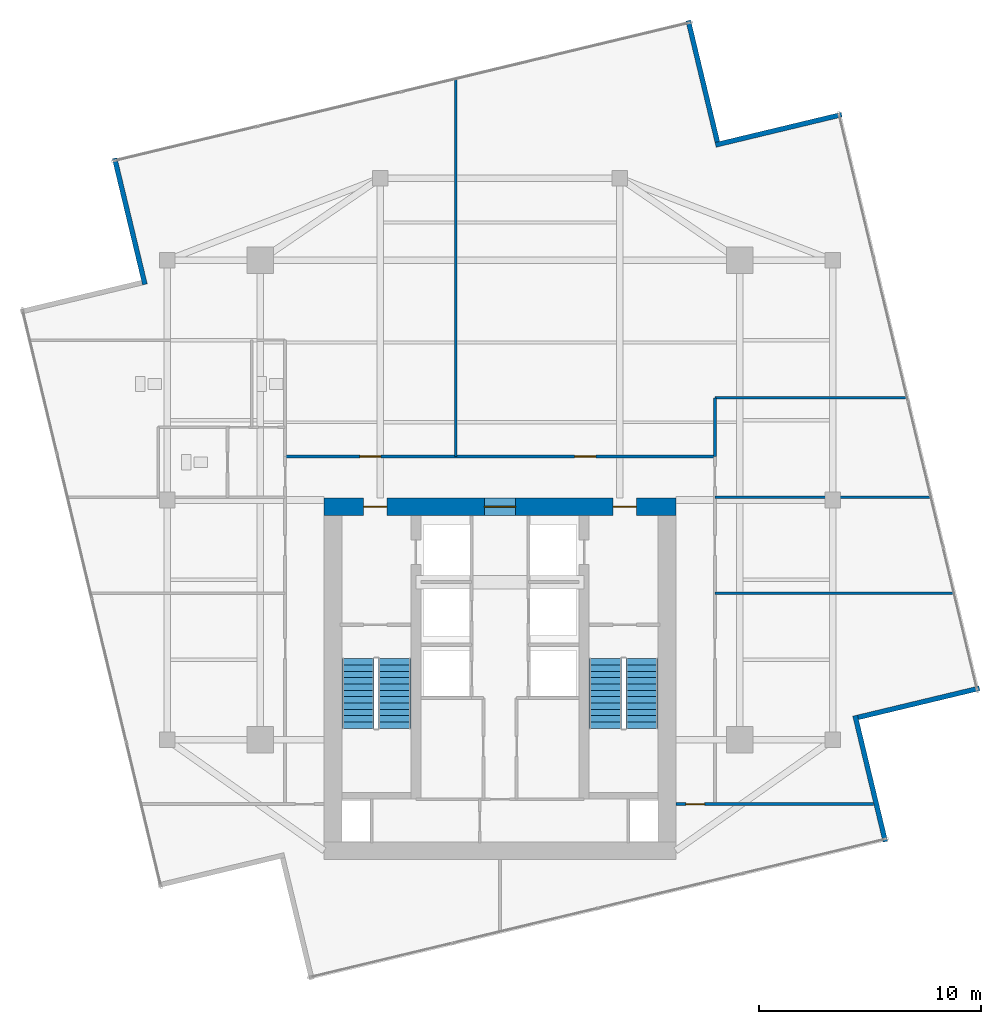
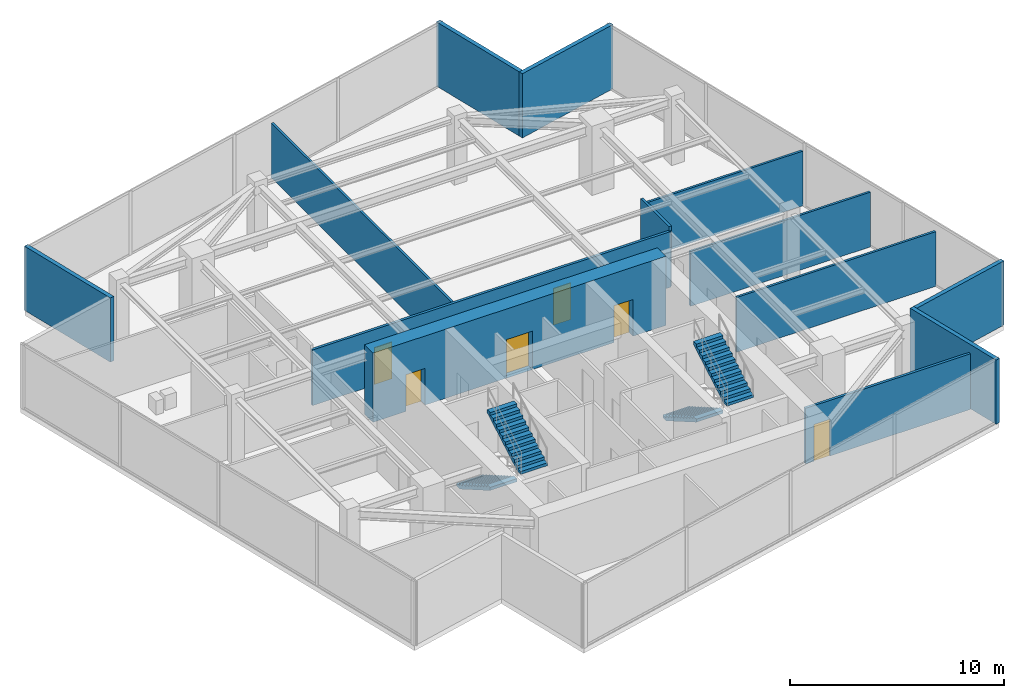
# One storey, part 20 of 22: 13 walls, 6 doors, 4 stair flights, 6 openings, 2 elements without a shape of their own.
"""IFC4 building model written with IfcOpenShell, lengths in metres."""

from ifc_helpers import new_model, si_unit, direction, frame, frame_2d, origin, place, context, subcontext, project, spatial, polyline, rectangle, outline, extrude, material, layer, layer_set, type_object, element, fill, aggregate, save


model = new_model("IFC4")

# Units and contexts
model_context = context("Model", 3, precision=1e-05, world=origin(), true_north=direction((0.0, 1.0)))
body_context = subcontext(model_context, "Body", "Model", "MODEL_VIEW")
ifc_project = project(units=[si_unit("LENGTHUNIT", "METRE"), si_unit("AREAUNIT", "SQUARE_METRE"), si_unit("VOLUMEUNIT", "CUBIC_METRE"), si_unit("PLANEANGLEUNIT", "RADIAN"), si_unit("MASSUNIT", "GRAM", prefix="KILO")], contexts=[model_context])

# Site, building, storey
site_placement = place(None, origin())
site = spatial("IfcSite", under=ifc_project, at=site_placement, CompositionType="ELEMENT")
building_placement = place(site_placement, origin())
building = spatial("IfcBuilding", under=site, at=building_placement, Name="Krantzveldt Concourse Tower", CompositionType="ELEMENT")
storey_placement = place(building_placement, frame((0.0, 0.0, 355.35009765625)))
storey = spatial("IfcBuildingStorey", under=building, at=storey_placement, Name="L87", CompositionType="ELEMENT", Elevation=355.35009765625)

# Walls
ifc_material_1 = material(Name="Anodised aluminium 6063-T6", Category="aluminium")
ifc_layer_1 = layer(ifc_material_1, 0.219970703125, Name="Anodised aluminium 6063-T6", Category="aluminium")
ifc_layer_set_1 = layer_set([ifc_layer_1], Name="Anodised aluminium 6063-T6 (WL-EXT-NOTCH220)")
wall_type_1 = type_object("IfcWallType", Name="WL-EXT-NOTCH220", PredefinedType="ELEMENTEDWALL", material=ifc_layer_set_1)
wall_1_placement = place(storey_placement, frame((45.794677734375, 42.832275390625, 0.0), z_axis=(0.0, 0.0, 1.0), x_axis=(-0.233466521361, 0.972364840687, 0.0)))
element("IfcWall", 1, at=wall_1_placement, inside=storey, type_object=wall_type_1, Name="EW-L87-NCH00", PredefinedType="ELEMENTEDWALL", context=body_context, shape_type="SweptSolid", body=[
    extrude(rectangle(XDim=5.625, YDim=0.219970703125, at=frame_2d((2.8125, 0.0))), origin(), (0.0, 0.0, 1.0), 3.669921875),
])
for number, where, z_axis, x_axis, name in (
    (2, (18.635986328125, 42.096923828125, 0.0), (0.0, 0.0, 1.0), (0.233444040416, -0.972370238126, 0.0), "EW-L87-NCH02"),
    (3, (53.364013671875, 11.30322265625, 0.0), (0.0, 0.0, 1.0), (-0.233453521986, 0.972367961768, 0.0), "EW-L87-NCH08"),
):
    element("IfcWall", number, at=place(storey_placement, frame(where, z_axis=z_axis, x_axis=x_axis)), inside=storey, type_object=wall_type_1, Name=name, PredefinedType="ELEMENTEDWALL", context=body_context, shape_type="SweptSolid", body=[
        extrude(rectangle(XDim=5.844970703125, YDim=0.219970703125, at=frame_2d((2.92236328125, 0.0))), origin(), (0.0, 0.0, 1.0), 3.669921875),
    ])
wall_2_placement = place(storey_placement, frame((52.13232421875, 16.9052734375, 0.0), z_axis=(0.0, 0.0, 1.0), x_axis=(0.972364840687, 0.233466521361, 0.0)))
element("IfcWall", 4, at=wall_2_placement, inside=storey, type_object=wall_type_1, Name="EW-L87-NCH09", PredefinedType="ELEMENTEDWALL", context=body_context, shape_type="SweptSolid", body=[
    extrude(rectangle(XDim=5.625, YDim=0.219970703125, at=frame_2d((2.8125, 0.0))), origin(), (0.0, 0.0, 1.0), 3.669921875),
])
wall_3_placement = place(storey_placement, frame((51.396728515625, 44.064208984375, 0.0), z_axis=(0.0, 0.0, 1.0), x_axis=(-0.972367961768, -0.233453521986, 0.0)))
element("IfcWall", 5, at=wall_3_placement, inside=storey, type_object=wall_type_1, Name="EW-L87-NCH11", PredefinedType="ELEMENTEDWALL", context=body_context, shape_type="SweptSolid", body=[
    extrude(rectangle(XDim=5.844970703125, YDim=0.219970703125, at=frame_2d((2.92236328125, 0.0))), origin(), (0.0, 0.0, 1.0), 3.669921875),
])
ifc_material_2 = material(Name="Fire-rated gypsum plasterboard on steel stud", Category="steel")
ifc_layer_2 = layer(ifc_material_2, 0.1201171875, Name="Fire-rated gypsum plasterboard on steel stud", Category="steel")
ifc_layer_set_2 = layer_set([ifc_layer_2], Name="Fire-rated gypsum plasterboard on steel stud (WL-PART-120)")
wall_type_2 = type_object("IfcWallType", Name="WL-PART-120", PredefinedType="PARTITIONING", material=ifc_layer_set_2)
wall_4_placement = place(storey_placement, frame((45.679931640625, 26.820068359375, 0.0), z_axis=(0.0, 0.0, 1.0), x_axis=(1.0, 0.0, 0.0)))
element("IfcWall", 6, at=wall_4_placement, inside=storey, type_object=wall_type_2, Name="WP-L87-PNTS", PredefinedType="PARTITIONING", context=body_context, shape_type="SweptSolid", body=[
    extrude(rectangle(XDim=9.738525390625, YDim=0.1201171875, at=frame_2d((4.869140625, 0.0))), origin(), (0.0, 0.0, 1.0), 3.1298828125),
])
wall_5_placement = place(storey_placement, frame((45.679931640625, 31.300048828125, 0.0), z_axis=(0.0, 0.0, 1.0), x_axis=(1.0, 0.0, 0.0)))
element("IfcWall", 7, at=wall_5_placement, inside=storey, type_object=wall_type_2, Name="WP-L87-PNTN", PredefinedType="PARTITIONING", context=body_context, shape_type="SweptSolid", body=[
    extrude(rectangle(XDim=8.6630859375, YDim=0.1201171875, at=frame_2d((4.33154296875, 0.0))), origin(), (0.0, 0.0, 1.0), 3.1298828125),
])
wall_6_placement = place(storey_placement, frame((34.0, 28.659912109375, 0.0), z_axis=(0.0, 0.0, 1.0), x_axis=(0.0, 1.0, 0.0)))
element("IfcWall", 8, at=wall_6_placement, inside=storey, type_object=wall_type_2, Name="WP-L87-ND1", PredefinedType="PARTITIONING", context=body_context, shape_type="SweptSolid", body=[
    extrude(rectangle(XDim=17.00732421875, YDim=0.1201171875, at=frame_2d((8.503662109375, 0.0))), origin(), (0.0, 0.0, 1.0), 3.1298828125),
])
wall_7_placement = place(storey_placement, frame((45.679931640625, 22.5, 0.0), z_axis=(0.0, 0.0, 1.0), x_axis=(1.0, 0.0, 0.0)))
element("IfcWall", 9, at=wall_7_placement, inside=storey, type_object=wall_type_2, Name="WP-L87-ED1", PredefinedType="PARTITIONING", context=body_context, shape_type="SweptSolid", body=[
    extrude(rectangle(XDim=10.77587890625, YDim=0.1201171875, at=frame_2d((5.387939453125, 0.0))), origin(), (0.0, 0.0, 1.0), 3.1298828125),
])

# Wall, openings, doors
ifc_layer_3 = layer(ifc_material_2, 0.139892578125, Name="Fire-rated gypsum plasterboard on steel stud", Category="steel")
ifc_layer_set_3 = layer_set([ifc_layer_3], Name="Fire-rated gypsum plasterboard on steel stud (WL-PART-140)")
wall_type_3 = type_object("IfcWallType", Name="WL-PART-140", PredefinedType="PARTITIONING", material=ifc_layer_set_3)
wall_8_placement = place(storey_placement, frame((26.320068359375, 28.659912109375, 0.0), z_axis=(0.0, 0.0, 1.0), x_axis=(1.0, 0.0, 0.0)))
wall_8 = element("IfcWall", 10, at=wall_8_placement, inside=storey, type_object=wall_type_3, Name="WP-L87-CNHDR", PredefinedType="PARTITIONING", context=body_context, shape_type="SweptSolid", body=[
    extrude(rectangle(XDim=19.35986328125, YDim=0.139892578125, at=frame_2d((9.679931640625, 0.0))), origin(), (0.0, 0.0, 1.0), 3.179931640625),
])
opening_1_placement = place(wall_8_placement, frame((3.364990234375, 0.0, 0.0)))
opening_1 = element("IfcOpeningElement", 11, at=opening_1_placement, cuts=wall_8, Name="Opening D-IN095", PredefinedType="OPENING", context=body_context, shape_type="SweptSolid", body=[
    extrude(rectangle(XDim=0.949951171875, YDim=2.10009765625, at=frame_2d((0.47509765625, 1.050048828125))), frame((0.0, 0.080078125, 0.0), z_axis=(0.0, -1.0, 0.0), x_axis=(1.0, 0.0, 0.0)), (0.0, 0.0, 1.0), 0.159912109375),
])
opening_2_placement = place(wall_8_placement, frame((13.044921875, 0.0, 0.0)))
opening_2 = element("IfcOpeningElement", 12, at=opening_2_placement, cuts=wall_8, Name="Opening D-IN095", PredefinedType="OPENING", context=body_context, shape_type="SweptSolid", body=[
    extrude(rectangle(XDim=0.949951171875, YDim=2.10009765625, at=frame_2d((0.47509765625, 1.050048828125))), frame((0.0, 0.080078125, 0.0), z_axis=(0.0, -1.0, 0.0), x_axis=(1.0, 0.0, 0.0)), (0.0, 0.0, 1.0), 0.159912109375),
])
ifc_material_3 = material(Name="Hardwood timber", Category="wood")
door_type_1 = type_object("IfcDoorType", Name="DR-INT-950", OperationType="SINGLE_SWING_LEFT", PredefinedType="DOOR", material=ifc_material_3)
door_1_placement = place(opening_1_placement, origin())
door_1 = element("IfcDoor", 13, at=door_1_placement, inside=storey, type_object=door_type_1, Name="DR-L87-NR1", OperationType="SINGLE_SWING_LEFT", OverallHeight=2.10009765625, OverallWidth=0.949951171875, PredefinedType="DOOR", context=body_context, shape_type="SweptSolid", body=[
    extrude(rectangle(XDim=0.949951171875, YDim=2.10009765625, at=frame_2d((0.47509765625, 1.050048828125))), frame((0.0, 0.02490234375, 0.0), z_axis=(0.0, -1.0, 0.0), x_axis=(1.0, 0.0, 0.0)), (0.0, 0.0, 1.0), 0.050048828125),
])
fill(opening_1, door_1)
door_2_placement = place(opening_2_placement, origin())
door_2 = element("IfcDoor", 14, at=door_2_placement, inside=storey, type_object=door_type_1, Name="DR-L87-NR2", OperationType="SINGLE_SWING_LEFT", OverallHeight=2.10009765625, OverallWidth=0.949951171875, PredefinedType="DOOR", context=body_context, shape_type="SweptSolid", body=[
    extrude(rectangle(XDim=0.949951171875, YDim=2.10009765625, at=frame_2d((0.47509765625, 1.050048828125))), frame((0.0, 0.02490234375, 0.0), z_axis=(0.0, -1.0, 0.0), x_axis=(1.0, 0.0, 0.0)), (0.0, 0.0, 1.0), 0.050048828125),
])
fill(opening_2, door_2)

# Wall, opening, door
wall_9_placement = place(storey_placement, frame((43.919921875, 13.0, 0.0), z_axis=(0.0, 0.0, 1.0), x_axis=(1.0, 0.0, 0.0)))
wall_9 = element("IfcWall", 15, at=wall_9_placement, inside=storey, type_object=wall_type_3, Name="WP-L87-CSBOTE", PredefinedType="PARTITIONING", context=body_context, shape_type="SweptSolid", body=[
    extrude(rectangle(XDim=8.91845703125, YDim=0.139892578125, at=frame_2d((4.459228515625, 0.0))), origin(), (0.0, 0.0, 1.0), 3.179931640625),
])
opening_3_placement = place(wall_9_placement, frame((0.455078125, 0.0, 0.0)))
opening_3 = element("IfcOpeningElement", 16, at=opening_3_placement, cuts=wall_9, Name="Opening D-IN085", PredefinedType="OPENING", context=body_context, shape_type="SweptSolid", body=[
    extrude(rectangle(XDim=0.85009765625, YDim=2.10009765625, at=frame_2d((0.425048828125, 1.050048828125))), frame((0.0, 0.080078125, 0.0), z_axis=(0.0, -1.0, 0.0), x_axis=(1.0, 0.0, 0.0)), (0.0, 0.0, 1.0), 0.159912109375),
])
door_type_2 = type_object("IfcDoorType", Name="DR-INT-850", OperationType="SINGLE_SWING_LEFT", PredefinedType="DOOR", material=ifc_material_3)
door_3_placement = place(opening_3_placement, origin())
door_3 = element("IfcDoor", 17, at=door_3_placement, inside=storey, type_object=door_type_2, Name="DR-L87-SR2", OperationType="SINGLE_SWING_LEFT", OverallHeight=2.10009765625, OverallWidth=0.85009765625, PredefinedType="DOOR", context=body_context, shape_type="SweptSolid", body=[
    extrude(rectangle(XDim=0.85009765625, YDim=2.10009765625, at=frame_2d((0.425048828125, 1.050048828125))), frame((0.0, 0.02490234375, 0.0), z_axis=(0.0, -1.0, 0.0), x_axis=(1.0, 0.0, 0.0)), (0.0, 0.0, 1.0), 0.050048828125),
])
fill(opening_3, door_3)

# Wall
wall_10_placement = place(storey_placement, frame((45.679931640625, 28.659912109375, 0.0), z_axis=(0.0, 0.0, 1.0), x_axis=(0.0, 1.0, 0.0)))
element("IfcWall", 18, at=wall_10_placement, inside=storey, type_object=wall_type_3, Name="WP-L87-NER", PredefinedType="PARTITIONING", context=body_context, shape_type="SweptSolid", body=[
    extrude(rectangle(XDim=2.64013671875, YDim=0.139892578125, at=frame_2d((1.320068359375, 0.0))), origin(), (0.0, 0.0, 1.0), 3.429931640625),
])

# Wall, openings, doors
ifc_material_4 = material(Name="Concrete C60/75", Category="concrete")
ifc_layer_4 = layer(ifc_material_4, 0.800048828125, Name="Concrete C60/75", Category="concrete")
ifc_layer_set_4 = layer_set([ifc_layer_4], Name="Concrete C60/75 (WL-SHEAR-800)")
wall_type_4 = type_object("IfcWallType", Name="WL-SHEAR-800", PredefinedType="SHEAR", material=ifc_layer_set_4)
wall_11_placement = place(storey_placement, frame((28.080078125, 26.39990234375, 0.0), z_axis=(0.0, 0.0, 1.0), x_axis=(1.0, 0.0, 0.0)))
wall_11 = element("IfcWall", 19, at=wall_11_placement, inside=storey, type_object=wall_type_4, Name="CW-L87-N", PredefinedType="SHEAR", context=body_context, shape_type="SweptSolid", body=[
    extrude(rectangle(XDim=15.83984375, YDim=0.800048828125, at=frame_2d((7.919921875, 0.0))), origin(), (0.0, 0.0, 1.0), 3.949951171875),
])
opening_4_placement = place(wall_11_placement, frame((7.219970703125, 0.0, 0.0)))
opening_4 = element("IfcOpeningElement", 20, at=opening_4_placement, cuts=wall_11, Name="Opening D-DB140", PredefinedType="OPENING", context=body_context, shape_type="SweptSolid", body=[
    extrude(rectangle(XDim=1.39990234375, YDim=2.199951171875, at=frame_2d((0.699951171875, 1.10009765625))), frame((0.0, 0.41015625, 0.0), z_axis=(0.0, -1.0, 0.0), x_axis=(1.0, 0.0, 0.0)), (0.0, 0.0, 1.0), 0.820068359375),
])
opening_5_placement = place(wall_11_placement, frame((1.77490234375, 0.0, 0.0)))
opening_5 = element("IfcOpeningElement", 21, at=opening_5_placement, cuts=wall_11, Name="Opening D-FD105", PredefinedType="OPENING", context=body_context, shape_type="SweptSolid", body=[
    extrude(rectangle(XDim=1.050048828125, YDim=2.10009765625, at=frame_2d((0.52490234375, 1.050048828125))), frame((0.0, 0.41015625, 0.0), z_axis=(0.0, -1.0, 0.0), x_axis=(1.0, 0.0, 0.0)), (0.0, 0.0, 1.0), 0.820068359375),
])
opening_6_placement = place(wall_11_placement, frame((13.014892578125, 0.0, 0.0)))
opening_6 = element("IfcOpeningElement", 22, at=opening_6_placement, cuts=wall_11, Name="Opening D-FD105", PredefinedType="OPENING", context=body_context, shape_type="SweptSolid", body=[
    extrude(rectangle(XDim=1.050048828125, YDim=2.10009765625, at=frame_2d((0.52490234375, 1.050048828125))), frame((0.0, 0.41015625, 0.0), z_axis=(0.0, -1.0, 0.0), x_axis=(1.0, 0.0, 0.0)), (0.0, 0.0, 1.0), 0.820068359375),
])
door_type_3 = type_object("IfcDoorType", Name="DR-DBL-1400", OperationType="DOUBLE_DOOR_SINGLE_SWING", PredefinedType="DOOR", material=ifc_material_1)
door_4_placement = place(opening_4_placement, origin())
door_4 = element("IfcDoor", 23, at=door_4_placement, inside=storey, type_object=door_type_3, Name="DR-L87-LLB", OperationType="DOUBLE_DOOR_SINGLE_SWING", OverallHeight=2.199951171875, OverallWidth=1.39990234375, PredefinedType="DOOR", context=body_context, shape_type="SweptSolid", body=[
    extrude(rectangle(XDim=1.39990234375, YDim=2.199951171875, at=frame_2d((0.699951171875, 1.10009765625))), frame((0.0, 0.02490234375, 0.0), z_axis=(0.0, -1.0, 0.0), x_axis=(1.0, 0.0, 0.0)), (0.0, 0.0, 1.0), 0.050048828125),
])
fill(opening_4, door_4)
ifc_material_5 = material(Name="Galvanised steel", Category="steel")
door_type_4 = type_object("IfcDoorType", Name="DR-FD120-1050", OperationType="SINGLE_SWING_LEFT", PredefinedType="DOOR", material=ifc_material_5)
door_5_placement = place(opening_5_placement, origin())
door_5 = element("IfcDoor", 24, at=door_5_placement, inside=storey, type_object=door_type_4, Name="DR-L87-FFL1", OperationType="SINGLE_SWING_LEFT", OverallHeight=2.10009765625, OverallWidth=1.050048828125, PredefinedType="DOOR", context=body_context, shape_type="SweptSolid", body=[
    extrude(rectangle(XDim=1.050048828125, YDim=2.10009765625, at=frame_2d((0.52490234375, 1.050048828125))), frame((0.0, 0.02490234375, 0.0), z_axis=(0.0, -1.0, 0.0), x_axis=(1.0, 0.0, 0.0)), (0.0, 0.0, 1.0), 0.050048828125),
])
fill(opening_5, door_5)
door_6_placement = place(opening_6_placement, origin())
door_6 = element("IfcDoor", 25, at=door_6_placement, inside=storey, type_object=door_type_4, Name="DR-L87-FFL2", OperationType="SINGLE_SWING_RIGHT", OverallHeight=2.10009765625, OverallWidth=1.050048828125, PredefinedType="DOOR", context=body_context, shape_type="SweptSolid", body=[
    extrude(rectangle(XDim=1.050048828125, YDim=2.10009765625, at=frame_2d((0.52490234375, 1.050048828125))), frame((0.0, 0.02490234375, 0.0), z_axis=(0.0, -1.0, 0.0), x_axis=(1.0, 0.0, 0.0)), (0.0, 0.0, 1.0), 0.050048828125),
])
fill(opening_6, door_6)

# Stair, stair flights
ifc_material_6 = material(Name="Precast concrete C40/50", Category="concrete")
stair_type = type_object("IfcStairType", Name="STR-CORE-DOGLEG", PredefinedType="HALF_TURN_STAIR", material=ifc_material_6)
stair_1_placement = place(storey_placement, origin())
stair_1 = element("IfcStair", 26, at=stair_1_placement, inside=storey, type_object=stair_type, Name="L87 Protected Escape Stair ST-1", PredefinedType="HALF_TURN_STAIR")
stair_flight_type = type_object("IfcStairFlightType", Name="STF-CORE-1450", PredefinedType="STRAIGHT", material=ifc_material_6)
stair_flight_1_placement = place(storey_placement, frame((29.60498046875, 19.550048828125, 0.0), z_axis=(0.0, 0.0, 1.0), x_axis=(0.0, -1.0, 0.0)))
stair_flight_1 = element("IfcStairFlight", 27, at=stair_flight_1_placement, type_object=stair_flight_type, Name="ST-1 flight 1", NumberOfRisers=12, NumberOfTreads=11, PredefinedType="STRAIGHT", RiserHeight=0.164583333, TreadLength=0.285, context=body_context, shape_type="SweptSolid", body=[
    extrude(outline(polyline([(0.0, 0.0), (0.0, 0.16455078125), (0.284912109375, 0.16455078125), (0.284912109375, 0.3291015625), (0.570068359375, 0.3291015625), (0.570068359375, 0.49365234375), (0.85498046875, 0.49365234375), (0.85498046875, 0.658447265625), (1.139892578125, 0.658447265625), (1.139892578125, 0.822998046875), (1.425048828125, 0.822998046875), (1.425048828125, 0.987548828125), (1.7099609375, 0.987548828125), (1.7099609375, 1.152099609375), (1.9951171875, 1.152099609375), (1.9951171875, 1.316650390625), (2.280029296875, 1.316650390625), (2.280029296875, 1.481201171875), (2.56494140625, 1.481201171875), (2.56494140625, 1.645751953125), (2.85009765625, 1.645751953125), (2.85009765625, 1.810302734375), (3.135009765625, 1.810302734375), (3.135009765625, 1.97509765625), (3.135009765625, 1.63720703125), (0.2998046875, 0.0), (0.0, 0.0)])), frame((0.0, 0.72509765625, 0.0), z_axis=(0.0, -1.0, 0.0), x_axis=(1.0, 0.0, 0.0)), (0.0, 0.0, 1.0), 1.449951171875),
])
stair_flight_2_placement = place(storey_placement, frame((31.2548828125, 16.4150390625, 1.974853515625), z_axis=(0.0, 0.0, 1.0), x_axis=(0.0, 1.0, 0.0)))
stair_flight_2 = element("IfcStairFlight", 28, at=stair_flight_2_placement, type_object=stair_flight_type, Name="ST-1 flight 2", NumberOfRisers=12, NumberOfTreads=11, PredefinedType="STRAIGHT", RiserHeight=0.164583333, TreadLength=0.285, context=body_context, shape_type="SweptSolid", body=[
    extrude(outline(polyline([(0.0, 0.0), (0.0, 0.16455078125), (0.284912109375, 0.16455078125), (0.284912109375, 0.3291015625), (0.570068359375, 0.3291015625), (0.570068359375, 0.49365234375), (0.85498046875, 0.49365234375), (0.85498046875, 0.658447265625), (1.139892578125, 0.658447265625), (1.139892578125, 0.822998046875), (1.425048828125, 0.822998046875), (1.425048828125, 0.987548828125), (1.7099609375, 0.987548828125), (1.7099609375, 1.152099609375), (1.9951171875, 1.152099609375), (1.9951171875, 1.316650390625), (2.280029296875, 1.316650390625), (2.280029296875, 1.481201171875), (2.56494140625, 1.481201171875), (2.56494140625, 1.645751953125), (2.85009765625, 1.645751953125), (2.85009765625, 1.810302734375), (3.135009765625, 1.810302734375), (3.135009765625, 1.97509765625), (3.135009765625, 1.63720703125), (0.2998046875, 0.0), (0.0, 0.0)])), frame((0.0, 0.72509765625, 0.0), z_axis=(0.0, -1.0, 0.0), x_axis=(1.0, 0.0, 0.0)), (0.0, 0.0, 1.0), 1.449951171875),
])
aggregate(stair_1, [stair_flight_1, stair_flight_2])

stair_2_placement = place(storey_placement, origin())
stair_2 = element("IfcStair", 29, at=stair_2_placement, inside=storey, type_object=stair_type, Name="L87 Protected Escape Stair ST-2", PredefinedType="HALF_TURN_STAIR")
stair_flight_3_placement = place(storey_placement, frame((40.7451171875, 19.550048828125, 0.0), z_axis=(0.0, 0.0, 1.0), x_axis=(0.0, -1.0, 0.0)))
stair_flight_3 = element("IfcStairFlight", 30, at=stair_flight_3_placement, type_object=stair_flight_type, Name="ST-2 flight 1", NumberOfRisers=12, NumberOfTreads=11, PredefinedType="STRAIGHT", RiserHeight=0.164583333, TreadLength=0.285, context=body_context, shape_type="SweptSolid", body=[
    extrude(outline(polyline([(0.0, 0.0), (0.0, 0.16455078125), (0.284912109375, 0.16455078125), (0.284912109375, 0.3291015625), (0.570068359375, 0.3291015625), (0.570068359375, 0.49365234375), (0.85498046875, 0.49365234375), (0.85498046875, 0.658447265625), (1.139892578125, 0.658447265625), (1.139892578125, 0.822998046875), (1.425048828125, 0.822998046875), (1.425048828125, 0.987548828125), (1.7099609375, 0.987548828125), (1.7099609375, 1.152099609375), (1.9951171875, 1.152099609375), (1.9951171875, 1.316650390625), (2.280029296875, 1.316650390625), (2.280029296875, 1.481201171875), (2.56494140625, 1.481201171875), (2.56494140625, 1.645751953125), (2.85009765625, 1.645751953125), (2.85009765625, 1.810302734375), (3.135009765625, 1.810302734375), (3.135009765625, 1.97509765625), (3.135009765625, 1.63720703125), (0.2998046875, 0.0), (0.0, 0.0)])), frame((0.0, 0.72509765625, 0.0), z_axis=(0.0, -1.0, 0.0), x_axis=(1.0, 0.0, 0.0)), (0.0, 0.0, 1.0), 1.449951171875),
])
stair_flight_4_placement = place(storey_placement, frame((42.39501953125, 16.4150390625, 1.974853515625), z_axis=(0.0, 0.0, 1.0), x_axis=(0.0, 1.0, 0.0)))
stair_flight_4 = element("IfcStairFlight", 31, at=stair_flight_4_placement, type_object=stair_flight_type, Name="ST-2 flight 2", NumberOfRisers=12, NumberOfTreads=11, PredefinedType="STRAIGHT", RiserHeight=0.164583333, TreadLength=0.285, context=body_context, shape_type="SweptSolid", body=[
    extrude(outline(polyline([(0.0, 0.0), (0.0, 0.16455078125), (0.284912109375, 0.16455078125), (0.284912109375, 0.3291015625), (0.570068359375, 0.3291015625), (0.570068359375, 0.49365234375), (0.85498046875, 0.49365234375), (0.85498046875, 0.658447265625), (1.139892578125, 0.658447265625), (1.139892578125, 0.822998046875), (1.425048828125, 0.822998046875), (1.425048828125, 0.987548828125), (1.7099609375, 0.987548828125), (1.7099609375, 1.152099609375), (1.9951171875, 1.152099609375), (1.9951171875, 1.316650390625), (2.280029296875, 1.316650390625), (2.280029296875, 1.481201171875), (2.56494140625, 1.481201171875), (2.56494140625, 1.645751953125), (2.85009765625, 1.645751953125), (2.85009765625, 1.810302734375), (3.135009765625, 1.810302734375), (3.135009765625, 1.97509765625), (3.135009765625, 1.63720703125), (0.2998046875, 0.0), (0.0, 0.0)])), frame((0.0, 0.72509765625, 0.0), z_axis=(0.0, -1.0, 0.0), x_axis=(1.0, 0.0, 0.0)), (0.0, 0.0, 1.0), 1.449951171875),
])
aggregate(stair_2, [stair_flight_3, stair_flight_4])

save(model, "model.ifc")
